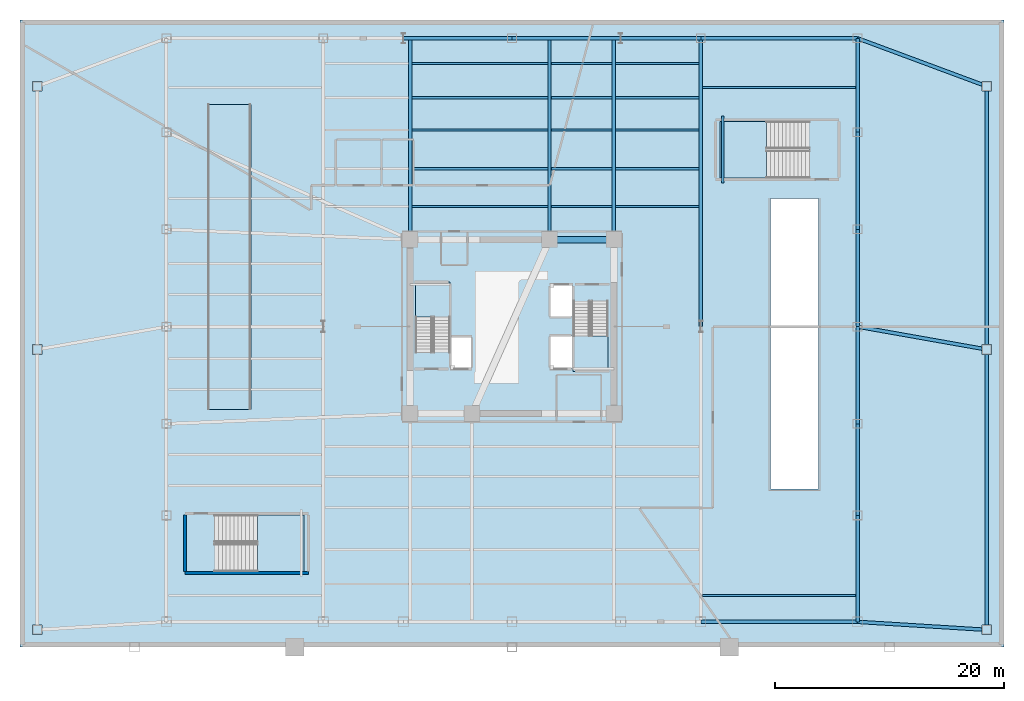
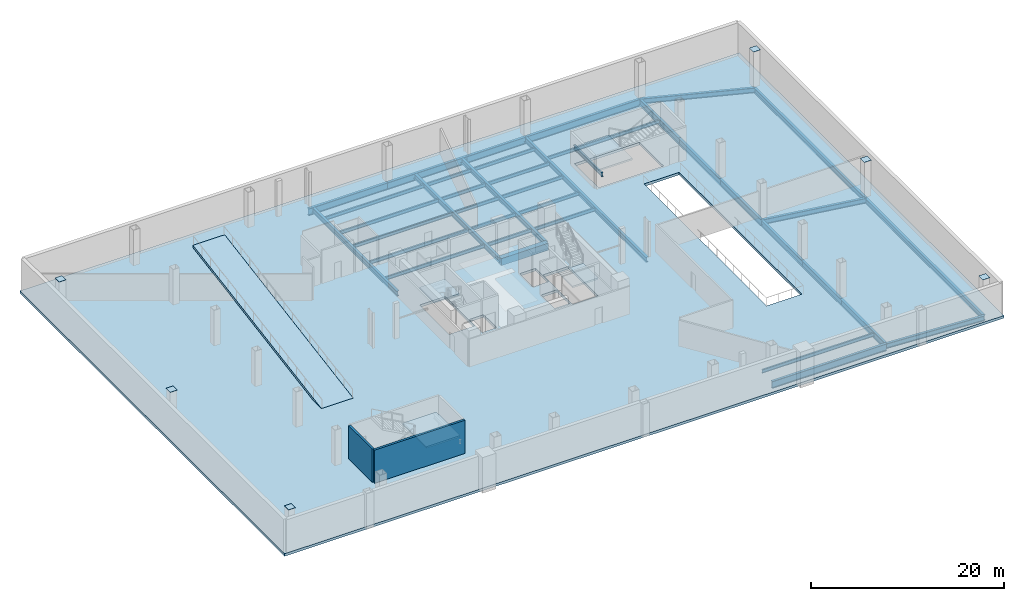
# One storey, part 4 of 14: 39 beams, 6 plates, 6 slabs, 2 walls, 4 elements without a shape of their own.
"""IFC4 building model written with IfcOpenShell, lengths in metres."""

from ifc_helpers import new_model, si_unit, direction, frame, frame_2d, origin, origin_2d, place, context, subcontext, project, spatial, polyline, rectangle, i_section, outline, extrude, material, layer, layer_set, material_profile, profile_set, type_object, element, aggregate, save


model = new_model("IFC4")

# Units and contexts
model_context = context("Model", 3, precision=1e-05, world=origin(), true_north=direction((0.0, 1.0)))
body_context = subcontext(model_context, "Body", "Model", "MODEL_VIEW")
ifc_project = project(units=[si_unit("LENGTHUNIT", "METRE"), si_unit("AREAUNIT", "SQUARE_METRE"), si_unit("VOLUMEUNIT", "CUBIC_METRE"), si_unit("PLANEANGLEUNIT", "RADIAN"), si_unit("MASSUNIT", "GRAM", prefix="KILO")], contexts=[model_context])

# Site, building, storey
site_placement = place(None, origin())
site = spatial("IfcSite", under=ifc_project, at=site_placement, CompositionType="ELEMENT")
building_placement = place(site_placement, origin())
building = spatial("IfcBuilding", under=site, at=building_placement, Name="Tharavind Bronze Gate", CompositionType="ELEMENT")
storey_placement = place(building_placement, frame((0.0, 0.0, -4.5)))
storey = spatial("IfcBuildingStorey", under=building, at=storey_placement, Name="B01", CompositionType="ELEMENT", Elevation=-4.5)

# Beams
ifc_material_1 = material(Name="Concrete C50/60", Category="concrete")
ifc_material_profile_1 = material_profile(ifc_material_1, rectangle(XDim=0.60009765625, YDim=0.89990234375, at=origin_2d()), Name="RCBM600X900")
ifc_profile_set_1 = profile_set([ifc_material_profile_1], Name="Concrete C50/60")
beam_type_1 = type_object("IfcBeamType", Name="CORE COUPLING BEAM RC600X900", PredefinedType="BEAM", material=ifc_profile_set_1)
beam_1_placement = place(storey_placement, frame((8.89990234375, 7.60009765625, -0.77490234375), z_axis=(-1.0, 0.0, 0.0), x_axis=(0.0, -1.0, 0.0)))
element("IfcBeam", 1, at=beam_1_placement, inside=storey, type_object=beam_type_1, Name="B01 core coupling beam rc600x900 BM-B01-CR4", PredefinedType="BEAM", context=body_context, shape_type="SweptSolid", body=[
    extrude(rectangle(XDim=0.60009765625, YDim=0.89990234375, at=origin_2d()), origin(), (0.0, 0.0, 1.0), 5.619873046875),
])
ifc_material_2 = material(Name="Steel S355", Category="steel")
ifc_material_profile_2 = material_profile(ifc_material_2, i_section(OverallWidth=0.300048828125, OverallDepth=0.64990234375, WebThickness=0.01611328125, FlangeThickness=0.031005859375, at=origin_2d()), Name="HE650B")
ifc_profile_set_2 = profile_set([ifc_material_profile_2], Name="Steel S355")
beam_type_2 = type_object("IfcBeamType", Name="PRIMARY GIRDER HE650B", PredefinedType="USERDEFINED", material=ifc_profile_set_2)
beam_2_placement = place(storey_placement, frame((30.199951171875, -25.800048828125, -0.64990234375), z_axis=(0.998087077813, -0.061823823098, 0.0), x_axis=(0.061823823098, 0.998087077813, 0.0)))
element("IfcBeam", 2, at=beam_2_placement, inside=storey, type_object=beam_type_2, Name="B01 primary girder he650b BM-B01-BEX8", ObjectType="GIRDER", PredefinedType="USERDEFINED", context=body_context, shape_type="SweptSolid", body=[
    extrude(i_section(OverallWidth=0.300048828125, OverallDepth=0.64990234375, WebThickness=0.01611328125, FlangeThickness=0.031005859375, at=origin_2d()), origin(), (0.0, 0.0, 1.0), 11.32177734375),
])
beam_3_placement = place(storey_placement, frame((30.199951171875, 0.0, -0.64990234375), z_axis=(0.984695836534, -0.17428169586, 0.0), x_axis=(0.17428169586, 0.984695836534, 0.0)))
element("IfcBeam", 3, at=beam_3_placement, inside=storey, type_object=beam_type_2, Name="B01 primary girder he650b BM-B01-BEX33", ObjectType="GIRDER", PredefinedType="USERDEFINED", context=body_context, shape_type="SweptSolid", body=[
    extrude(i_section(OverallWidth=0.300048828125, OverallDepth=0.64990234375, WebThickness=0.01611328125, FlangeThickness=0.031005859375, at=origin_2d()), origin(), (0.0, 0.0, 1.0), 11.4755859375),
])
beam_4_placement = place(storey_placement, frame((30.199951171875, 25.199951171875, -0.64990234375), z_axis=(0.937349705603, -0.348389910024, 0.0), x_axis=(0.348389910024, 0.937349705603, 0.0)))
element("IfcBeam", 4, at=beam_4_placement, inside=storey, type_object=beam_type_2, Name="B01 primary girder he650b BM-B01-BEX56", ObjectType="GIRDER", PredefinedType="USERDEFINED", context=body_context, shape_type="SweptSolid", body=[
    extrude(i_section(OverallWidth=0.300048828125, OverallDepth=0.64990234375, WebThickness=0.01611328125, FlangeThickness=0.031005859375, at=origin_2d()), origin(), (0.0, 0.0, 1.0), 12.055419921875),
])
beam_5_placement = place(storey_placement, frame((41.5, -26.5, -0.64990234375), z_axis=(0.0, 1.0, 0.0), x_axis=(-1.0, 0.0, 0.0)))
element("IfcBeam", 5, at=beam_5_placement, inside=storey, type_object=beam_type_2, Name="B01 primary girder he650b BM-B01-BES1", ObjectType="GIRDER", PredefinedType="USERDEFINED", context=body_context, shape_type="SweptSolid", body=[
    extrude(i_section(OverallWidth=0.300048828125, OverallDepth=0.64990234375, WebThickness=0.01611328125, FlangeThickness=0.031005859375, at=origin_2d()), origin(), (0.0, 0.0, 1.0), 24.5),
])
beam_6_placement = place(storey_placement, frame((41.5, -2.0, -0.64990234375), z_axis=(0.0, 1.0, 0.0), x_axis=(-1.0, 0.0, 0.0)))
element("IfcBeam", 6, at=beam_6_placement, inside=storey, type_object=beam_type_2, Name="B01 primary girder he650b BM-B01-BEN1", ObjectType="GIRDER", PredefinedType="USERDEFINED", context=body_context, shape_type="SweptSolid", body=[
    extrude(i_section(OverallWidth=0.300048828125, OverallDepth=0.64990234375, WebThickness=0.01611328125, FlangeThickness=0.031005859375, at=origin_2d()), origin(), (0.0, 0.0, 1.0), 23.0),
])
beam_7_placement = place(storey_placement, frame((16.5, 0.0, -0.64990234375), z_axis=(0.0, 1.0, 0.0), x_axis=(-1.0, 0.0, 0.0)))
element("IfcBeam", 7, at=beam_7_placement, inside=storey, type_object=beam_type_2, Name="B01 primary girder he650b BM-B01-GS5N", ObjectType="GIRDER", PredefinedType="USERDEFINED", context=body_context, shape_type="SweptSolid", body=[
    extrude(i_section(OverallWidth=0.300048828125, OverallDepth=0.64990234375, WebThickness=0.01611328125, FlangeThickness=0.031005859375, at=origin_2d()), origin(), (0.0, 0.0, 1.0), 25.199951171875),
])
for number, where, z_axis, x_axis, name in (
    (8, (-8.89990234375, 25.199951171875, -0.64990234375), (0.0, -1.0, 0.0), (1.0, 0.0, 0.0), "B01 primary girder he650b BM-B01-GN2"),
    (9, (3.280029296875, 25.199951171875, -0.64990234375), (0.0, -1.0, 0.0), (1.0, 0.0, 0.0), "B01 primary girder he650b BM-B01-GN3"),
    (10, (8.89990234375, 25.199951171875, -0.64990234375), (0.0, -1.0, 0.0), (1.0, 0.0, 0.0), "B01 primary girder he650b BM-B01-GN4"),
):
    element("IfcBeam", number, at=place(storey_placement, frame(where, z_axis=z_axis, x_axis=x_axis)), inside=storey, type_object=beam_type_2, Name=name, ObjectType="GIRDER", PredefinedType="USERDEFINED", context=body_context, shape_type="SweptSolid", body=[
        extrude(i_section(OverallWidth=0.300048828125, OverallDepth=0.64990234375, WebThickness=0.01611328125, FlangeThickness=0.031005859375, at=origin_2d()), origin(), (0.0, 0.0, 1.0), 17.599853515625),
    ])
ifc_material_profile_3 = material_profile(ifc_material_2, i_section(OverallWidth=0.199951171875, OverallDepth=0.5, WebThickness=0.01025390625, FlangeThickness=0.01611328125, at=origin_2d()), Name="IPE500")
ifc_profile_set_3 = profile_set([ifc_material_profile_3], Name="Steel S355")
beam_type_3 = type_object("IfcBeamType", Name="PRIMARY GIRDER IPE500", PredefinedType="USERDEFINED", material=ifc_profile_set_3)
beam_8_placement = place(storey_placement, frame((18.419921875, 12.550048828125, 1.800048828125), z_axis=(0.0, 1.0, 0.0), x_axis=(-1.0, 0.0, 0.0)))
element("IfcBeam", 11, at=beam_8_placement, inside=storey, type_object=beam_type_3, Name="B01 primary girder ipe500 BM-LD-ST4-B01-1", ObjectType="GIRDER", PredefinedType="USERDEFINED", context=body_context, shape_type="SweptSolid", body=[
    extrude(i_section(OverallWidth=0.199951171875, OverallDepth=0.5, WebThickness=0.01025390625, FlangeThickness=0.01611328125, at=origin_2d()), origin(), (0.0, 0.0, 1.0), 5.849853515625),
])
ifc_material_profile_4 = material_profile(ifc_material_2, i_section(OverallWidth=0.300048828125, OverallDepth=0.800048828125, WebThickness=0.017578125, FlangeThickness=0.032958984375, at=origin_2d()), Name="HE800B")
ifc_profile_set_4 = profile_set([ifc_material_profile_4], Name="Steel S355")
beam_type_4 = type_object("IfcBeamType", Name="RING GIRDER HE800B", PredefinedType="USERDEFINED", material=ifc_profile_set_4)
beam_9_placement = place(storey_placement, frame((30.199951171875, -25.800048828125, -0.72509765625), z_axis=(0.0, 1.0, 0.0), x_axis=(-1.0, 0.0, 0.0)))
element("IfcBeam", 12, at=beam_9_placement, inside=storey, type_object=beam_type_4, Name="B01 ring girder he800b BM-B01-PE1", ObjectType="GIRDER", PredefinedType="USERDEFINED", context=body_context, shape_type="SweptSolid", body=[
    extrude(i_section(OverallWidth=0.300048828125, OverallDepth=0.800048828125, WebThickness=0.017578125, FlangeThickness=0.032958984375, at=origin_2d()), origin(), (0.0, 0.0, 1.0), 9.300048828125),
])
beam_10_placement = place(storey_placement, frame((30.199951171875, -16.5, -0.72509765625), z_axis=(0.0, 1.0, 0.0), x_axis=(-1.0, 0.0, 0.0)))
element("IfcBeam", 13, at=beam_10_placement, inside=storey, type_object=beam_type_4, Name="B01 ring girder he800b BM-B01-PE2", ObjectType="GIRDER", PredefinedType="USERDEFINED", context=body_context, shape_type="SweptSolid", body=[
    extrude(i_section(OverallWidth=0.300048828125, OverallDepth=0.800048828125, WebThickness=0.017578125, FlangeThickness=0.032958984375, at=origin_2d()), origin(), (0.0, 0.0, 1.0), 8.0),
])
for number, where, z_axis, x_axis, name in (
    (14, (30.199951171875, -8.5, -0.72509765625), (0.0, 1.0, 0.0), (-1.0, 0.0, 0.0), "B01 ring girder he800b BM-B01-PE3"),
    (15, (30.199951171875, 0.0, -0.72509765625), (0.0, 1.0, 0.0), (-1.0, 0.0, 0.0), "B01 ring girder he800b BM-B01-PE4"),
    (16, (30.199951171875, 8.5, -0.72509765625), (0.0, 1.0, 0.0), (-1.0, 0.0, 0.0), "B01 ring girder he800b BM-B01-PE5"),
):
    element("IfcBeam", number, at=place(storey_placement, frame(where, z_axis=z_axis, x_axis=x_axis)), inside=storey, type_object=beam_type_4, Name=name, ObjectType="GIRDER", PredefinedType="USERDEFINED", context=body_context, shape_type="SweptSolid", body=[
        extrude(i_section(OverallWidth=0.300048828125, OverallDepth=0.800048828125, WebThickness=0.017578125, FlangeThickness=0.032958984375, at=origin_2d()), origin(), (0.0, 0.0, 1.0), 8.5),
    ])
beam_11_placement = place(storey_placement, frame((30.199951171875, 17.0, -0.72509765625), z_axis=(0.0, 1.0, 0.0), x_axis=(-1.0, 0.0, 0.0)))
element("IfcBeam", 17, at=beam_11_placement, inside=storey, type_object=beam_type_4, Name="B01 ring girder he800b BM-B01-PE6", ObjectType="GIRDER", PredefinedType="USERDEFINED", context=body_context, shape_type="SweptSolid", body=[
    extrude(i_section(OverallWidth=0.300048828125, OverallDepth=0.800048828125, WebThickness=0.017578125, FlangeThickness=0.032958984375, at=origin_2d()), origin(), (0.0, 0.0, 1.0), 8.199951171875),
])
ifc_material_profile_5 = material_profile(ifc_material_2, i_section(OverallWidth=0.18994140625, OverallDepth=0.449951171875, WebThickness=0.009521484375, FlangeThickness=0.0146484375, at=origin_2d()), Name="IPE450")
ifc_profile_set_5 = profile_set([ifc_material_profile_5], Name="Steel S355")
beam_type_5 = type_object("IfcBeamType", Name="SECONDARY FLOOR JOIST IPE450", PredefinedType="JOIST", material=ifc_profile_set_5)
beam_12_placement = place(storey_placement, frame((-8.748046875, 10.5, -0.550048828125), z_axis=(1.0, 0.0, 0.0), x_axis=(0.0, 1.0, 0.0)))
element("IfcBeam", 18, at=beam_12_placement, inside=storey, type_object=beam_type_5, Name="B01 secondary floor joist ipe450 BM-B01-JSN1A", PredefinedType="JOIST", context=body_context, shape_type="SweptSolid", body=[
    extrude(i_section(OverallWidth=0.18994140625, OverallDepth=0.449951171875, WebThickness=0.009521484375, FlangeThickness=0.0146484375, at=origin_2d()), origin(), (0.0, 0.0, 1.0), 11.8759765625),
])
beam_13_placement = place(storey_placement, frame((3.431884765625, 10.5, -0.550048828125), z_axis=(1.0, 0.0, 0.0), x_axis=(0.0, 1.0, 0.0)))
element("IfcBeam", 19, at=beam_13_placement, inside=storey, type_object=beam_type_5, Name="B01 secondary floor joist ipe450 BM-B01-JSN1B", PredefinedType="JOIST", context=body_context, shape_type="SweptSolid", body=[
    extrude(i_section(OverallWidth=0.18994140625, OverallDepth=0.449951171875, WebThickness=0.009521484375, FlangeThickness=0.0146484375, at=origin_2d()), origin(), (0.0, 0.0, 1.0), 5.316162109375),
])
beam_14_placement = place(storey_placement, frame((9.052001953125, 10.5, -0.550048828125), z_axis=(1.0, 0.0, 0.0), x_axis=(0.0, 1.0, 0.0)))
element("IfcBeam", 20, at=beam_14_placement, inside=storey, type_object=beam_type_5, Name="B01 secondary floor joist ipe450 BM-B01-JSN1E", PredefinedType="JOIST", context=body_context, shape_type="SweptSolid", body=[
    extrude(i_section(OverallWidth=0.18994140625, OverallDepth=0.449951171875, WebThickness=0.009521484375, FlangeThickness=0.0146484375, at=origin_2d()), origin(), (0.0, 0.0, 1.0), 7.2958984375),
])
beam_15_placement = place(storey_placement, frame((-8.748046875, 13.800048828125, -0.550048828125), z_axis=(1.0, 0.0, 0.0), x_axis=(0.0, 1.0, 0.0)))
element("IfcBeam", 21, at=beam_15_placement, inside=storey, type_object=beam_type_5, Name="B01 secondary floor joist ipe450 BM-B01-JSN2A", PredefinedType="JOIST", context=body_context, shape_type="SweptSolid", body=[
    extrude(i_section(OverallWidth=0.18994140625, OverallDepth=0.449951171875, WebThickness=0.009521484375, FlangeThickness=0.0146484375, at=origin_2d()), origin(), (0.0, 0.0, 1.0), 11.8759765625),
])
beam_16_placement = place(storey_placement, frame((3.431884765625, 13.800048828125, -0.550048828125), z_axis=(1.0, 0.0, 0.0), x_axis=(0.0, 1.0, 0.0)))
element("IfcBeam", 22, at=beam_16_placement, inside=storey, type_object=beam_type_5, Name="B01 secondary floor joist ipe450 BM-B01-JSN2B", PredefinedType="JOIST", context=body_context, shape_type="SweptSolid", body=[
    extrude(i_section(OverallWidth=0.18994140625, OverallDepth=0.449951171875, WebThickness=0.009521484375, FlangeThickness=0.0146484375, at=origin_2d()), origin(), (0.0, 0.0, 1.0), 5.316162109375),
])
beam_17_placement = place(storey_placement, frame((9.052001953125, 13.800048828125, -0.550048828125), z_axis=(1.0, 0.0, 0.0), x_axis=(0.0, 1.0, 0.0)))
element("IfcBeam", 23, at=beam_17_placement, inside=storey, type_object=beam_type_5, Name="B01 secondary floor joist ipe450 BM-B01-JSN2E", PredefinedType="JOIST", context=body_context, shape_type="SweptSolid", body=[
    extrude(i_section(OverallWidth=0.18994140625, OverallDepth=0.449951171875, WebThickness=0.009521484375, FlangeThickness=0.0146484375, at=origin_2d()), origin(), (0.0, 0.0, 1.0), 7.2958984375),
])
beam_18_placement = place(storey_placement, frame((-8.748046875, 17.199951171875, -0.550048828125), z_axis=(1.0, 0.0, 0.0), x_axis=(0.0, 1.0, 0.0)))
element("IfcBeam", 24, at=beam_18_placement, inside=storey, type_object=beam_type_5, Name="B01 secondary floor joist ipe450 BM-B01-JSN3A", PredefinedType="JOIST", context=body_context, shape_type="SweptSolid", body=[
    extrude(i_section(OverallWidth=0.18994140625, OverallDepth=0.449951171875, WebThickness=0.009521484375, FlangeThickness=0.0146484375, at=origin_2d()), origin(), (0.0, 0.0, 1.0), 11.8759765625),
])
beam_19_placement = place(storey_placement, frame((3.431884765625, 17.199951171875, -0.550048828125), z_axis=(1.0, 0.0, 0.0), x_axis=(0.0, 1.0, 0.0)))
element("IfcBeam", 25, at=beam_19_placement, inside=storey, type_object=beam_type_5, Name="B01 secondary floor joist ipe450 BM-B01-JSN3B", PredefinedType="JOIST", context=body_context, shape_type="SweptSolid", body=[
    extrude(i_section(OverallWidth=0.18994140625, OverallDepth=0.449951171875, WebThickness=0.009521484375, FlangeThickness=0.0146484375, at=origin_2d()), origin(), (0.0, 0.0, 1.0), 5.316162109375),
])
beam_20_placement = place(storey_placement, frame((9.052001953125, 17.199951171875, -0.550048828125), z_axis=(1.0, 0.0, 0.0), x_axis=(0.0, 1.0, 0.0)))
element("IfcBeam", 26, at=beam_20_placement, inside=storey, type_object=beam_type_5, Name="B01 secondary floor joist ipe450 BM-B01-JSN3E", PredefinedType="JOIST", context=body_context, shape_type="SweptSolid", body=[
    extrude(i_section(OverallWidth=0.18994140625, OverallDepth=0.449951171875, WebThickness=0.009521484375, FlangeThickness=0.0146484375, at=origin_2d()), origin(), (0.0, 0.0, 1.0), 7.2958984375),
])
beam_21_placement = place(storey_placement, frame((-8.748046875, 20.0, -0.550048828125), z_axis=(1.0, 0.0, 0.0), x_axis=(0.0, 1.0, 0.0)))
element("IfcBeam", 27, at=beam_21_placement, inside=storey, type_object=beam_type_5, Name="B01 secondary floor joist ipe450 BM-B01-JSN4A", PredefinedType="JOIST", context=body_context, shape_type="SweptSolid", body=[
    extrude(i_section(OverallWidth=0.18994140625, OverallDepth=0.449951171875, WebThickness=0.009521484375, FlangeThickness=0.0146484375, at=origin_2d()), origin(), (0.0, 0.0, 1.0), 11.8759765625),
])
beam_22_placement = place(storey_placement, frame((3.431884765625, 20.0, -0.550048828125), z_axis=(1.0, 0.0, 0.0), x_axis=(0.0, 1.0, 0.0)))
element("IfcBeam", 28, at=beam_22_placement, inside=storey, type_object=beam_type_5, Name="B01 secondary floor joist ipe450 BM-B01-JSN4B", PredefinedType="JOIST", context=body_context, shape_type="SweptSolid", body=[
    extrude(i_section(OverallWidth=0.18994140625, OverallDepth=0.449951171875, WebThickness=0.009521484375, FlangeThickness=0.0146484375, at=origin_2d()), origin(), (0.0, 0.0, 1.0), 5.316162109375),
])
beam_23_placement = place(storey_placement, frame((9.052001953125, 20.0, -0.550048828125), z_axis=(1.0, 0.0, 0.0), x_axis=(0.0, 1.0, 0.0)))
element("IfcBeam", 29, at=beam_23_placement, inside=storey, type_object=beam_type_5, Name="B01 secondary floor joist ipe450 BM-B01-JSN4E", PredefinedType="JOIST", context=body_context, shape_type="SweptSolid", body=[
    extrude(i_section(OverallWidth=0.18994140625, OverallDepth=0.449951171875, WebThickness=0.009521484375, FlangeThickness=0.0146484375, at=origin_2d()), origin(), (0.0, 0.0, 1.0), 7.2958984375),
])
beam_24_placement = place(storey_placement, frame((-8.748046875, 23.0, -0.550048828125), z_axis=(1.0, 0.0, 0.0), x_axis=(0.0, 1.0, 0.0)))
element("IfcBeam", 30, at=beam_24_placement, inside=storey, type_object=beam_type_5, Name="B01 secondary floor joist ipe450 BM-B01-JSN5A", PredefinedType="JOIST", context=body_context, shape_type="SweptSolid", body=[
    extrude(i_section(OverallWidth=0.18994140625, OverallDepth=0.449951171875, WebThickness=0.009521484375, FlangeThickness=0.0146484375, at=origin_2d()), origin(), (0.0, 0.0, 1.0), 11.8759765625),
])
beam_25_placement = place(storey_placement, frame((3.431884765625, 23.0, -0.550048828125), z_axis=(1.0, 0.0, 0.0), x_axis=(0.0, 1.0, 0.0)))
element("IfcBeam", 31, at=beam_25_placement, inside=storey, type_object=beam_type_5, Name="B01 secondary floor joist ipe450 BM-B01-JSN5B", PredefinedType="JOIST", context=body_context, shape_type="SweptSolid", body=[
    extrude(i_section(OverallWidth=0.18994140625, OverallDepth=0.449951171875, WebThickness=0.009521484375, FlangeThickness=0.0146484375, at=origin_2d()), origin(), (0.0, 0.0, 1.0), 5.316162109375),
])
beam_26_placement = place(storey_placement, frame((9.052001953125, 23.0, -0.550048828125), z_axis=(1.0, 0.0, 0.0), x_axis=(0.0, 1.0, 0.0)))
element("IfcBeam", 32, at=beam_26_placement, inside=storey, type_object=beam_type_5, Name="B01 secondary floor joist ipe450 BM-B01-JSN5E", PredefinedType="JOIST", context=body_context, shape_type="SweptSolid", body=[
    extrude(i_section(OverallWidth=0.18994140625, OverallDepth=0.449951171875, WebThickness=0.009521484375, FlangeThickness=0.0146484375, at=origin_2d()), origin(), (0.0, 0.0, 1.0), 7.2958984375),
])
for number, where, z_axis, x_axis, name in (
    (33, (16.652099609375, -23.5, -0.550048828125), (1.0, 0.0, 0.0), (0.0, 1.0, 0.0), "B01 secondary floor joist ipe450 BM-B01-JSEE1"),
    (34, (16.652099609375, 20.89990234375, -0.550048828125), (1.0, 0.0, 0.0), (0.0, 1.0, 0.0), "B01 secondary floor joist ipe450 BM-B01-JSEE9"),
):
    element("IfcBeam", number, at=place(storey_placement, frame(where, z_axis=z_axis, x_axis=x_axis)), inside=storey, type_object=beam_type_5, Name=name, PredefinedType="JOIST", context=body_context, shape_type="SweptSolid", body=[
        extrude(i_section(OverallWidth=0.18994140625, OverallDepth=0.449951171875, WebThickness=0.009521484375, FlangeThickness=0.0146484375, at=origin_2d()), origin(), (0.0, 0.0, 1.0), 13.387939453125),
    ])
ifc_material_profile_6 = material_profile(ifc_material_2, i_section(OverallWidth=0.300048828125, OverallDepth=0.89990234375, WebThickness=0.0185546875, FlangeThickness=0.034912109375, at=origin_2d()), Name="HE900B")
ifc_profile_set_6 = profile_set([ifc_material_profile_6], Name="Steel S355")
beam_type_6 = type_object("IfcBeamType", Name="SPANDREL RING BEAM HE900B", PredefinedType="SPANDREL", material=ifc_profile_set_6)
for number, where, z_axis, x_axis, name in (
    (35, (-9.5, 25.199951171875, -0.77490234375), (1.0, 0.0, 0.0), (0.0, 1.0, 0.0), "B01 spandrel ring beam he900b BM-B01-PN3"),
    (36, (0.0, 25.199951171875, -0.77490234375), (1.0, 0.0, 0.0), (0.0, 1.0, 0.0), "B01 spandrel ring beam he900b BM-B01-PN4"),
):
    element("IfcBeam", number, at=place(storey_placement, frame(where, z_axis=z_axis, x_axis=x_axis)), inside=storey, type_object=beam_type_6, Name=name, PredefinedType="SPANDREL", context=body_context, shape_type="SweptSolid", body=[
        extrude(i_section(OverallWidth=0.300048828125, OverallDepth=0.89990234375, WebThickness=0.0185546875, FlangeThickness=0.034912109375, at=origin_2d()), origin(), (0.0, 0.0, 1.0), 9.5),
    ])
beam_27_placement = place(storey_placement, frame((9.5, 25.199951171875, -0.77490234375), z_axis=(1.0, 0.0, 0.0), x_axis=(0.0, 1.0, 0.0)))
element("IfcBeam", 37, at=beam_27_placement, inside=storey, type_object=beam_type_6, Name="B01 spandrel ring beam he900b BM-B01-PN5", PredefinedType="SPANDREL", context=body_context, shape_type="SweptSolid", body=[
    extrude(i_section(OverallWidth=0.300048828125, OverallDepth=0.89990234375, WebThickness=0.0185546875, FlangeThickness=0.034912109375, at=origin_2d()), origin(), (0.0, 0.0, 1.0), 7.0),
])
for number, where, z_axis, x_axis, name in (
    (38, (16.5, -25.800048828125, -0.77490234375), (1.0, 0.0, 0.0), (0.0, 1.0, 0.0), "B01 spandrel ring beam he900b BM-B01-PS6"),
    (39, (16.5, 25.199951171875, -0.77490234375), (1.0, 0.0, 0.0), (0.0, 1.0, 0.0), "B01 spandrel ring beam he900b BM-B01-PN6"),
):
    element("IfcBeam", number, at=place(storey_placement, frame(where, z_axis=z_axis, x_axis=x_axis)), inside=storey, type_object=beam_type_6, Name=name, PredefinedType="SPANDREL", context=body_context, shape_type="SweptSolid", body=[
        extrude(i_section(OverallWidth=0.300048828125, OverallDepth=0.89990234375, WebThickness=0.0185546875, FlangeThickness=0.034912109375, at=origin_2d()), origin(), (0.0, 0.0, 1.0), 13.699951171875),
    ])

# Stair, slab
ifc_material_3 = material(Name="Concrete C40/50", Category="concrete")
stair_type_1 = type_object("IfcStairType", Name="CORE HALF TURN STAIR 1450", PredefinedType="HALF_TURN_STAIR", material=ifc_material_3)
stair_1_placement = place(storey_placement, origin())
stair_1 = element("IfcStair", 40, at=stair_1_placement, inside=storey, type_object=stair_type_1, Name="B01 Protected Exit Stair ST1", PredefinedType="HALF_TURN_STAIR")
ifc_layer_1 = layer(ifc_material_3, 0.199951171875)
ifc_layer_set_1 = layer_set([ifc_layer_1], Name="Concrete C40/50")
slab_type_1 = type_object("IfcSlabType", Name="STAIR LANDING SLAB 200", PredefinedType="LANDING", material=ifc_layer_set_1)
slab_1_placement = place(storey_placement, frame((0.0, 0.0, 2.050048828125)))
slab_1 = element("IfcSlab", 41, at=slab_1_placement, type_object=slab_type_1, Name="ST1 landing 1", PredefinedType="LANDING", context=body_context, shape_type="SweptSolid", body=[
    extrude(outline(polyline([(-5.39990234375, 0.830078125), (-5.39990234375, 3.89990234375), (-8.449951171875, 3.89990234375), (-8.449951171875, 0.830078125), (-5.39990234375, 0.830078125)])), origin(), (0.0, 0.0, 1.0), 0.199951171875),
])
aggregate(stair_1, [slab_1])

stair_2_placement = place(storey_placement, origin())
stair_2 = element("IfcStair", 42, at=stair_2_placement, inside=storey, type_object=stair_type_1, Name="B01 Protected Exit Stair ST2", PredefinedType="HALF_TURN_STAIR")
slab_2_placement = place(storey_placement, frame((0.0, 0.0, 2.050048828125)))
slab_2 = element("IfcSlab", 43, at=slab_2_placement, type_object=slab_type_1, Name="ST2 landing 1", PredefinedType="LANDING", context=body_context, shape_type="SweptSolid", body=[
    extrude(outline(polyline([(5.35009765625, -0.830078125), (5.35009765625, -3.89990234375), (8.39990234375, -3.89990234375), (8.39990234375, -0.830078125), (5.35009765625, -0.830078125)])), origin(), (0.0, 0.0, 1.0), 0.199951171875),
])
aggregate(stair_2, [slab_2])

stair_type_2 = type_object("IfcStairType", Name="PODIUM HALF TURN STAIR 2400", PredefinedType="HALF_TURN_STAIR", material=ifc_material_3)
stair_3_placement = place(storey_placement, origin())
stair_3 = element("IfcStair", 44, at=stair_3_placement, inside=storey, type_object=stair_type_2, Name="B01 Protected Exit Stair ST3", PredefinedType="HALF_TURN_STAIR")
slab_3_placement = place(storey_placement, frame((0.0, 0.0, 2.050048828125)))
slab_3 = element("IfcSlab", 45, at=slab_3_placement, type_object=slab_type_1, Name="ST3 landing 1", PredefinedType="LANDING", context=body_context, shape_type="SweptSolid", body=[
    extrude(outline(polyline([(-22.260009765625, -21.39990234375), (-18.199951171875, -21.39990234375), (-18.199951171875, -16.449951171875), (-22.260009765625, -16.449951171875), (-22.260009765625, -21.39990234375)])), origin(), (0.0, 0.0, 1.0), 0.199951171875),
])
aggregate(stair_3, [slab_3])

stair_4_placement = place(storey_placement, origin())
stair_4 = element("IfcStair", 46, at=stair_4_placement, inside=storey, type_object=stair_type_2, Name="B01 Protected Exit Stair ST4", PredefinedType="HALF_TURN_STAIR")
slab_4_placement = place(storey_placement, frame((0.0, 0.0, 2.050048828125)))
slab_4 = element("IfcSlab", 47, at=slab_4_placement, type_object=slab_type_1, Name="ST4 landing 1", PredefinedType="LANDING", context=body_context, shape_type="SweptSolid", body=[
    extrude(outline(polyline([(22.260009765625, 17.949951171875), (18.199951171875, 17.949951171875), (18.199951171875, 13.0), (22.260009765625, 13.0), (22.260009765625, 17.949951171875)])), origin(), (0.0, 0.0, 1.0), 0.199951171875),
])
aggregate(stair_4, [slab_4])

# Plates
ifc_material_4 = material(Name="Steel S460", Category="steel")
ifc_layer_2 = layer(ifc_material_4, 0.02490234375)
ifc_layer_set_2 = layer_set([ifc_layer_2], Name="Steel S460")
plate_type = type_object("IfcPlateType", Name="STEEL END CAP SHEET 25", PredefinedType="SHEET", material=ifc_layer_set_2)
for number, where, z_axis, x_axis, name in (
    (48, (-41.5, -26.5, 4.487548828125), (0.0, 0.0, 1.0), (1.0, 0.0, 0.0), "Steel end cap plate CAP-COL-B01-BSX8Y8"),
    (49, (-41.5, -2.0, 4.487548828125), (0.0, 0.0, 1.0), (1.0, 0.0, 0.0), "Steel end cap plate CAP-COL-B01-BSX8Y33"),
    (50, (-41.5, 21.0, 4.487548828125), (0.0, 0.0, 1.0), (1.0, 0.0, 0.0), "Steel end cap plate CAP-COL-B01-BSX8Y56"),
    (51, (41.5, -26.5, 4.487548828125), (0.0, 0.0, 1.0), (1.0, 0.0, 0.0), "Steel end cap plate CAP-COL-B01-BSX91Y8"),
    (52, (41.5, -2.0, 4.487548828125), (0.0, 0.0, 1.0), (1.0, 0.0, 0.0), "Steel end cap plate CAP-COL-B01-BSX91Y33"),
    (53, (41.5, 21.0, 4.487548828125), (0.0, 0.0, 1.0), (1.0, 0.0, 0.0), "Steel end cap plate CAP-COL-B01-BSX91Y56"),
):
    element("IfcPlate", number, at=place(storey_placement, frame(where, z_axis=z_axis, x_axis=x_axis)), inside=storey, type_object=plate_type, Name=name, PredefinedType="SHEET", context=body_context, shape_type="SweptSolid", body=[
        extrude(rectangle(XDim=0.844970703125, YDim=0.844970703125, at=origin_2d()), origin(), (0.0, 0.0, 1.0), 0.02490234375),
    ])

# Slabs
ifc_layer_3 = layer(ifc_material_3, 0.324951171875)
ifc_layer_set_3 = layer_set([ifc_layer_3], Name="Concrete C40/50")
slab_type_2 = type_object("IfcSlabType", Name="STRUCTURAL FLOOR SLAB 325", PredefinedType="FLOOR", material=ifc_layer_set_3)
slab_5_placement = place(storey_placement, frame((0.0, 0.0, -0.324951171875)))
element("IfcSlab", 54, at=slab_5_placement, inside=storey, type_object=slab_type_2, Name="B01 main structural floor slab", PredefinedType="FLOOR", context=body_context, shape_type="SweptSolid", body=[
    extrude(outline(polyline([(-43.0, -28.0), (43.0, -28.0), (43.0, 26.800048828125), (-43.0, 26.800048828125), (-43.0, -28.0)]), holes=[polyline([(-5.39990234375, -2.215087890625), (-5.39990234375, 3.89990234375), (-8.449951171875, 3.89990234375), (-8.449951171875, -2.215087890625), (-5.39990234375, -2.215087890625)]), polyline([(5.35009765625, 2.215087890625), (5.35009765625, -3.89990234375), (8.39990234375, -3.89990234375), (8.39990234375, 2.215087890625), (5.35009765625, 2.215087890625)]), polyline([(-25.965087890625, -21.39990234375), (-18.199951171875, -21.39990234375), (-18.199951171875, -16.449951171875), (-25.965087890625, -16.449951171875), (-25.965087890625, -21.39990234375)]), polyline([(25.965087890625, 17.949951171875), (18.199951171875, 17.949951171875), (18.199951171875, 13.0), (25.965087890625, 13.0), (25.965087890625, 17.949951171875)]), polyline([(-5.320068359375, -3.6201171875), (-3.580078125, -3.6201171875), (-3.580078125, -0.929931640625), (-5.320068359375, -0.929931640625), (-5.320068359375, -3.6201171875)]), polyline([(3.360107421875, 0.8798828125), (5.27001953125, 0.8798828125), (5.27001953125, 3.6201171875), (3.360107421875, 3.6201171875), (3.360107421875, 0.8798828125)]), polyline([(3.360107421875, -3.6201171875), (5.27001953125, -3.6201171875), (5.27001953125, -0.830078125), (3.360107421875, -0.830078125), (3.360107421875, -3.6201171875)]), polyline([(22.60009765625, -14.199951171875), (26.800048828125, -14.199951171875), (26.800048828125, 11.199951171875), (22.60009765625, 11.199951171875), (22.60009765625, -14.199951171875)])]), origin(), (0.0, 0.0, 1.0), 0.324951171875),
])
ifc_layer_4 = layer(ifc_material_1, 0.300048828125)
ifc_layer_set_4 = layer_set([ifc_layer_4], Name="Concrete C50/60")
slab_type_3 = type_object("IfcSlabType", Name="STRUCTURAL FLOOR SLAB VEHICLE RAMP 300", PredefinedType="FLOOR", material=ifc_layer_set_4)
slab_6_placement = place(storey_placement, frame((-24.7001953125, -7.219970703125, 0.0), z_axis=(0.0, 0.0, 1.0), x_axis=(0.0, 1.0, 0.0)))
element("IfcSlab", 55, at=slab_6_placement, inside=storey, type_object=slab_type_3, Name="Service vehicle ramp slab R1 B01 to L00", PredefinedType="FLOOR", context=body_context, shape_type="SweptSolid", body=[
    extrude(outline(polyline([(0.0, 0.0), (1.799560546875, 0.0), (26.619873046875, 4.19580078125), (26.619873046875, 4.5), (0.0, 0.0)])), frame((0.0, 1.89990234375, 0.0), z_axis=(0.0, -1.0, 0.0), x_axis=(1.0, 0.0, 0.0)), (0.0, 0.0, 1.0), 3.800048828125),
])

# Walls
ifc_layer_5 = layer(ifc_material_1, 0.25)
ifc_layer_set_5 = layer_set([ifc_layer_5], Name="Concrete C50/60")
wall_type = type_object("IfcWallType", Name="RC CORE SHEAR WALL 250", PredefinedType="SHEAR", material=ifc_layer_set_5)
wall_1_placement = place(storey_placement, frame((-28.580078125, -21.530029296875, 0.0), z_axis=(0.0, 0.0, 1.0), x_axis=(1.0, 0.0, 0.0)))
element("IfcWall", 56, at=wall_1_placement, inside=storey, type_object=wall_type, Name="B01 ST3 south wall", PredefinedType="SHEAR", context=body_context, shape_type="SweptSolid", body=[
    extrude(rectangle(XDim=10.780029296875, YDim=0.25, at=frame_2d((5.39013671875, 0.0))), origin(), (0.0, 0.0, 1.0), 4.199951171875),
])
wall_2_placement = place(storey_placement, frame((-28.580078125, -21.3798828125, 0.0), z_axis=(0.0, 0.0, 1.0), x_axis=(0.0, 1.0, 0.0)))
element("IfcWall", 57, at=wall_2_placement, inside=storey, type_object=wall_type, Name="B01 ST3 west wall", PredefinedType="SHEAR", context=body_context, shape_type="SweptSolid", body=[
    extrude(rectangle(XDim=4.909912109375, YDim=0.25, at=frame_2d((2.455078125, 0.0))), origin(), (0.0, 0.0, 1.0), 4.199951171875),
])

save(model, "model.ifc")
